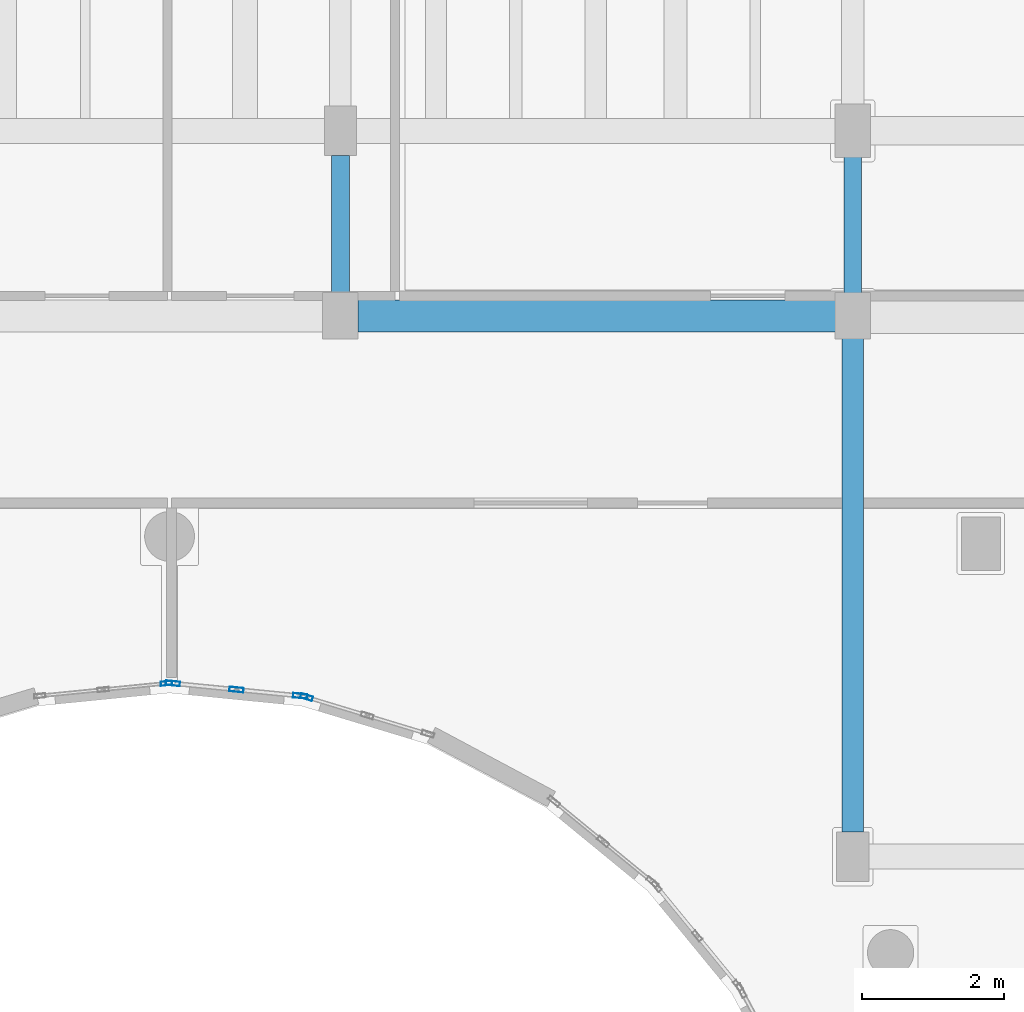
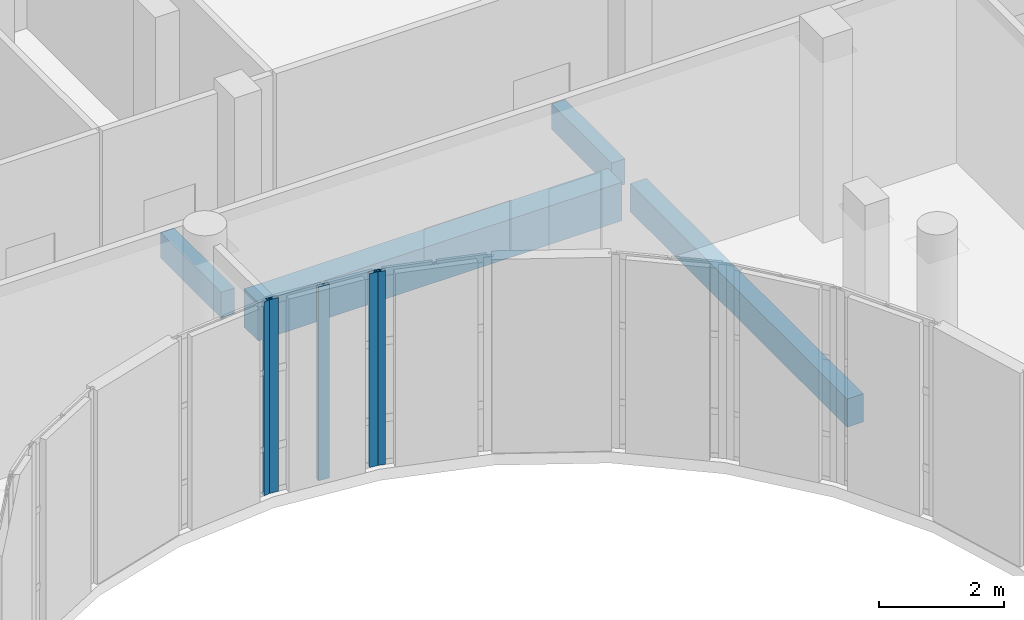
# One storey, part 42 of 92: 5 members, 4 beams, 3 elements without a shape of their own.
"""IFC4 building model written with IfcOpenShell, lengths in metres."""

from ifc_helpers import new_model, si_unit, direction, frame, origin, origin_2d, place, context, subcontext, project, spatial, rectangle, hollow_rectangle, extrude, material, layer, layer_set, material_profile, profile_set, type_object, element, aggregate, save


model = new_model("IFC4")

# Units and contexts
model_context = context("Model", 3, precision=1e-05, world=origin(), true_north=direction((0.0, 1.0)))
body_context = subcontext(model_context, "Body", "Model", "MODEL_VIEW")
ifc_project = project(units=[si_unit("LENGTHUNIT", "METRE"), si_unit("AREAUNIT", "SQUARE_METRE"), si_unit("VOLUMEUNIT", "CUBIC_METRE"), si_unit("PLANEANGLEUNIT", "RADIAN"), si_unit("MASSUNIT", "GRAM", prefix="KILO")], contexts=[model_context])

# Site, building, storey
site_placement = place(None, origin())
site = spatial("IfcSite", under=ifc_project, at=site_placement, CompositionType="ELEMENT")
building_placement = place(site_placement, origin())
building = spatial("IfcBuilding", under=site, at=building_placement, Name="Kelanivale Promenade Academy", CompositionType="ELEMENT")
storey_placement = place(building_placement, frame((0.0, 0.0, 8.199951171875)))
storey = spatial("IfcBuildingStorey", under=building, at=storey_placement, Name="L02", CompositionType="ELEMENT", Elevation=8.199951171875)

# Beam
ifc_material_1 = material(Name="Concrete C35/45", Category="concrete")
ifc_material_profile_1 = material_profile(ifc_material_1, rectangle(XDim=0.449951171875, YDim=0.75, at=origin_2d()), Name="RC-BM 450x750")
ifc_profile_set_1 = profile_set([ifc_material_profile_1], Name="Concrete C35/45")
beam_type_1 = type_object("IfcBeamType", Name="BM-04 RC-BM 450x750", PredefinedType="BEAM", material=ifc_profile_set_1)
beam_1_placement = place(storey_placement, frame((101.445068359375, 71.60009765625, -0.594970703125), z_axis=(1.0, 0.0, 0.0), x_axis=(0.0, 1.0, 0.0)))
element("IfcBeam", 1, at=beam_1_placement, inside=storey, type_object=beam_type_1, Name="L02 girder BM-04", PredefinedType="BEAM", context=body_context, shape_type="SweptSolid", body=[
    extrude(rectangle(XDim=0.449951171875, YDim=0.75, at=origin_2d()), origin(), (0.0, 0.0, 1.0), 6.7099609375),
])

# Curtain wall, member
ifc_material_2 = material(Name="Bronze anodised aluminium and solar-control low-E glass", Category="aluminium")
ifc_layer_1 = layer(ifc_material_2, 0.169921875)
ifc_layer_set_1 = layer_set([ifc_layer_1], Name="Bronze anodised aluminium and solar-control low-E glass")
curtain_wall_type_1 = type_object("IfcCurtainWallType", Name="CW-13 Curtain Wall 1350mm Module", PredefinedType="USERDEFINED", material=ifc_layer_set_1)
curtain_wall_1_placement = place(storey_placement, origin())
curtain_wall_1 = element("IfcCurtainWall", 2, at=curtain_wall_1_placement, inside=storey, type_object=curtain_wall_type_1, Name="L02 courtyard curtain wall CW-13", ObjectType="COURTYARD SCREEN GLAZING", PredefinedType="USERDEFINED")
ifc_material_3 = material(Name="Bronze anodised aluminium EN AW-6063 T6", Category="aluminium")
ifc_material_profile_2 = material_profile(ifc_material_3, hollow_rectangle(XDim=0.06005859375, YDim=0.159912109375, WallThickness=0.00390625, at=origin_2d()), Name="ALU 60x160x4.0")
ifc_profile_set_2 = profile_set([ifc_material_profile_2], Name="Bronze anodised aluminium EN AW-6063 T6")
member_type_1 = type_object("IfcMemberType", Name="CWM-01 ALU 60x160x4.0", PredefinedType="MULLION", material=ifc_profile_set_2)
member_1_placement = place(storey_placement, frame((98.756103515625, 66.43603515625, 0.0), z_axis=(0.0, 0.0, 1.0), x_axis=(0.098538762159, -0.99513321337, 0.0)))
member_1 = element("IfcMember", 3, at=member_1_placement, type_object=member_type_1, Name="CW-13 mullion 1", PredefinedType="MULLION", context=body_context, shape_type="SweptSolid", body=[
    extrude(hollow_rectangle(XDim=0.06005859375, YDim=0.159912109375, WallThickness=0.00390625, at=origin_2d()), origin(), (0.0, 0.0, 1.0), 3.780029296875),
])
aggregate(curtain_wall_1, [member_1])

ifc_layer_2 = layer(ifc_material_2, 0.179931640625)
ifc_layer_set_2 = layer_set([ifc_layer_2], Name="Bronze anodised aluminium and solar-control low-E glass")
curtain_wall_type_2 = type_object("IfcCurtainWallType", Name="CW-11 Curtain Wall 1950mm Module", PredefinedType="USERDEFINED", material=ifc_layer_set_2)
curtain_wall_2_placement = place(storey_placement, origin())
curtain_wall_2 = element("IfcCurtainWall", 4, at=curtain_wall_2_placement, inside=storey, type_object=curtain_wall_type_2, Name="L02 courtyard curtain wall CW-11", ObjectType="UNITISED GLAZING", PredefinedType="USERDEFINED")
ifc_material_profile_3 = material_profile(ifc_material_3, hollow_rectangle(XDim=0.06494140625, YDim=0.175048828125, WallThickness=0.00390625, at=origin_2d()), Name="ALU 65x175x4.0")
ifc_profile_set_3 = profile_set([ifc_material_profile_3], Name="Bronze anodised aluminium EN AW-6063 T6")
member_type_2 = type_object("IfcMemberType", Name="CWM-03 ALU 65x175x4.0", PredefinedType="MULLION", material=ifc_profile_set_3)
member_2_placement = place(storey_placement, frame((100.72509765625, 66.241455078125, 0.0), z_axis=(0.0, 0.0, 1.0), x_axis=(-0.290127576893, -0.956987977524, 0.0)))
member_2 = element("IfcMember", 5, at=member_2_placement, type_object=member_type_2, Name="CW-11 mullion 3", PredefinedType="MULLION", context=body_context, shape_type="SweptSolid", body=[
    extrude(hollow_rectangle(XDim=0.06494140625, YDim=0.175048828125, WallThickness=0.00390625, at=origin_2d()), origin(), (0.0, 0.0, 1.0), 3.780029296875),
])
aggregate(curtain_wall_2, [member_2])

# Curtain wall, members
ifc_layer_3 = layer(ifc_material_2, 0.159912109375)
ifc_layer_set_3 = layer_set([ifc_layer_3], Name="Bronze anodised aluminium and solar-control low-E glass")
curtain_wall_type_3 = type_object("IfcCurtainWallType", Name="CW-12 Curtain Wall 1200mm Module", PredefinedType="USERDEFINED", material=ifc_layer_set_3)
curtain_wall_3_placement = place(storey_placement, origin())
curtain_wall_3 = element("IfcCurtainWall", 6, at=curtain_wall_3_placement, inside=storey, type_object=curtain_wall_type_3, Name="L02 courtyard curtain wall CW-12", ObjectType="UNITISED GLAZING", PredefinedType="USERDEFINED")
ifc_material_profile_4 = material_profile(ifc_material_3, hollow_rectangle(XDim=0.06494140625, YDim=0.199951171875, WallThickness=0.00439453125, at=origin_2d()), Name="ALU 65x200x4.5")
ifc_profile_set_4 = profile_set([ifc_material_profile_4], Name="Bronze anodised aluminium EN AW-6063 T6")
member_type_3 = type_object("IfcMemberType", Name="CWM-04 ALU 65x200x4.5", PredefinedType="MULLION", material=ifc_profile_set_4)
member_3_placement = place(storey_placement, frame((100.634765625, 66.25927734375, 0.0), z_axis=(0.0, 0.0, 1.0), x_axis=(-0.098280652454, -0.995158737767, 0.0)))
member_3 = element("IfcMember", 7, at=member_3_placement, type_object=member_type_3, Name="CW-12 mullion 1", PredefinedType="MULLION", context=body_context, shape_type="SweptSolid", body=[
    extrude(hollow_rectangle(XDim=0.06494140625, YDim=0.199951171875, WallThickness=0.00439453125, at=origin_2d()), origin(), (0.0, 0.0, 1.0), 3.780029296875),
])
member_4_placement = place(storey_placement, frame((99.740478515625, 66.347412109375, 0.0), z_axis=(0.0, 0.0, 1.0), x_axis=(-0.098280652454, -0.995158737767, 0.0)))
member_4 = element("IfcMember", 8, at=member_4_placement, type_object=member_type_3, Name="CW-12 mullion 2", PredefinedType="MULLION", context=body_context, shape_type="SweptSolid", body=[
    extrude(hollow_rectangle(XDim=0.06494140625, YDim=0.199951171875, WallThickness=0.00439453125, at=origin_2d()), origin(), (0.0, 0.0, 1.0), 3.780029296875),
])
member_5_placement = place(storey_placement, frame((98.846435546875, 66.435791015625, 0.0), z_axis=(0.0, 0.0, 1.0), x_axis=(-0.098280652454, -0.995158737767, 0.0)))
member_5 = element("IfcMember", 9, at=member_5_placement, type_object=member_type_3, Name="CW-12 mullion 3", PredefinedType="MULLION", context=body_context, shape_type="SweptSolid", body=[
    extrude(hollow_rectangle(XDim=0.06494140625, YDim=0.199951171875, WallThickness=0.00439453125, at=origin_2d()), origin(), (0.0, 0.0, 1.0), 3.780029296875),
])
aggregate(curtain_wall_3, [member_3, member_4, member_5])

# Beams
ifc_material_profile_5 = material_profile(ifc_material_1, rectangle(XDim=0.300048828125, YDim=0.550048828125, at=origin_2d()), Name="RC-BM 300x550")
ifc_profile_set_5 = profile_set([ifc_material_profile_5], Name="Concrete C35/45")
beam_type_2 = type_object("IfcBeamType", Name="JS-02 RC-BM 300x550", PredefinedType="JOIST", material=ifc_profile_set_5)
beam_2_placement = place(storey_placement, frame((108.39990234375, 64.344970703125, -0.494873046875), z_axis=(0.0, 1.0, 0.0), x_axis=(-1.0, 0.0, 0.0)))
element("IfcBeam", 10, at=beam_2_placement, inside=storey, type_object=beam_type_2, Name="L02 beam JS-02", PredefinedType="JOIST", context=body_context, shape_type="SweptSolid", body=[
    extrude(rectangle(XDim=0.300048828125, YDim=0.550048828125, at=origin_2d()), origin(), (0.0, 0.0, 1.0), 6.93505859375),
])
ifc_material_profile_6 = material_profile(ifc_material_1, rectangle(XDim=0.25, YDim=0.5, at=origin_2d()), Name="RC-BM 250x500")
ifc_profile_set_6 = profile_set([ifc_material_profile_6], Name="Concrete C35/45")
beam_type_3 = type_object("IfcBeamType", Name="LN-02 RC-BM 250x500", PredefinedType="LINTEL", material=ifc_profile_set_6)
beam_3_placement = place(storey_placement, frame((101.199951171875, 71.919921875, -0.469970703125), z_axis=(0.0, 1.0, 0.0), x_axis=(-1.0, 0.0, 0.0)))
element("IfcBeam", 11, at=beam_3_placement, inside=storey, type_object=beam_type_3, Name="L02 beam LN-02", PredefinedType="LINTEL", context=body_context, shape_type="SweptSolid", body=[
    extrude(rectangle(XDim=0.25, YDim=0.5, at=origin_2d()), origin(), (0.0, 0.0, 1.0), 1.93505859375),
])
beam_4_placement = place(storey_placement, frame((108.39990234375, 71.919921875, -0.469970703125), z_axis=(0.0, 1.0, 0.0), x_axis=(-1.0, 0.0, 0.0)))
element("IfcBeam", 12, at=beam_4_placement, inside=storey, type_object=beam_type_3, Name="L02 beam LN-02", PredefinedType="LINTEL", context=body_context, shape_type="SweptSolid", body=[
    extrude(rectangle(XDim=0.25, YDim=0.5, at=origin_2d()), origin(), (0.0, 0.0, 1.0), 1.91015625),
])

save(model, "model.ifc")
